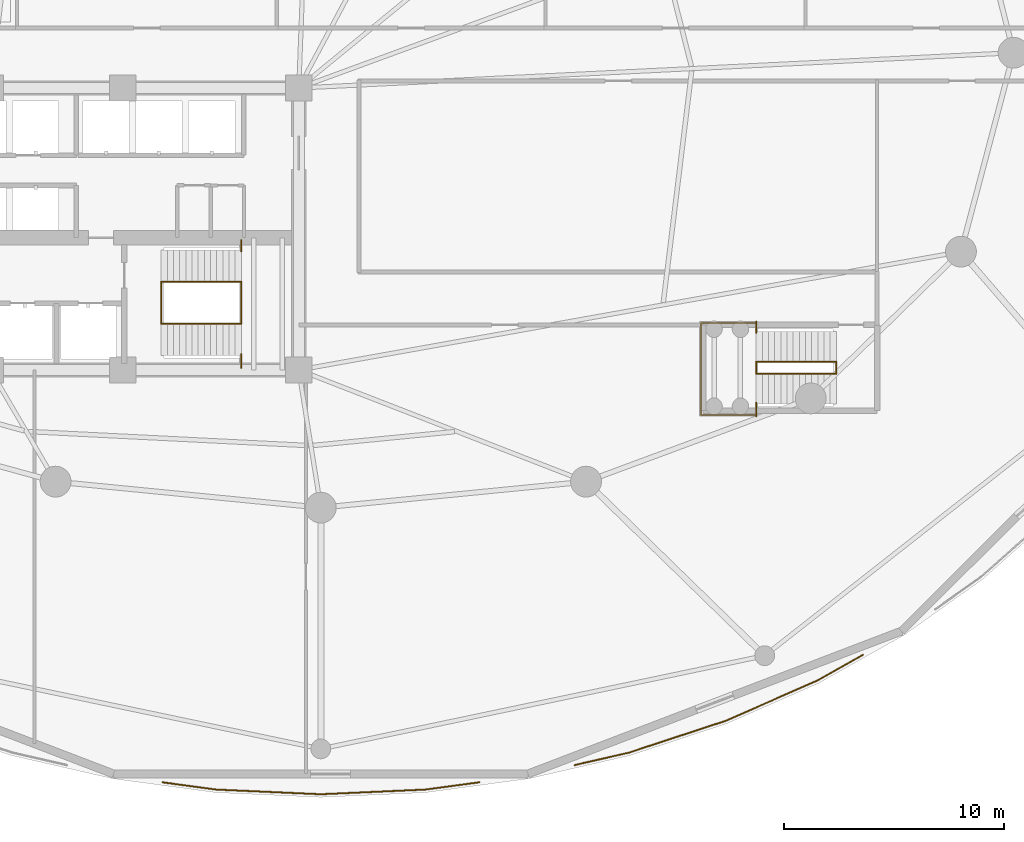
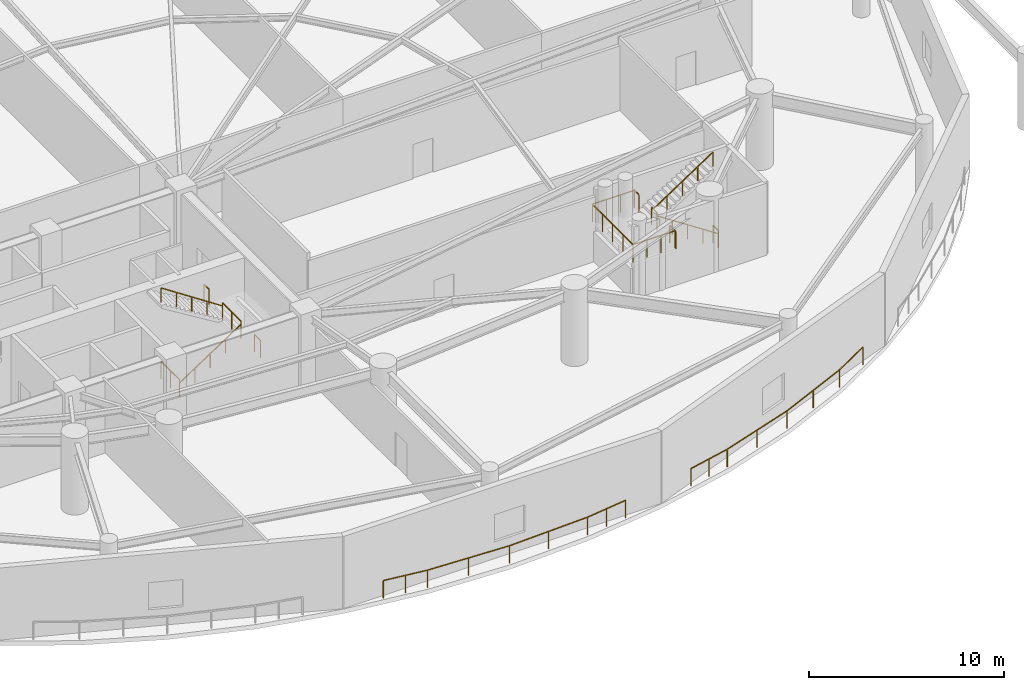
# One storey, part 36 of 40: 15 railings.
"""IFC4 building model written with IfcOpenShell, lengths in metres."""

from ifc_helpers import new_model, si_unit, direction, frame, origin, origin_2d, place, context, subcontext, project, spatial, rectangle, extrude, material, type_object, element, save


model = new_model("IFC4")

# Units and contexts
model_context = context("Model", 3, precision=1e-05, world=origin(), true_north=direction((0.0, 1.0)))
body_context = subcontext(model_context, "Body", "Model", "MODEL_VIEW")
ifc_project = project(units=[si_unit("LENGTHUNIT", "METRE"), si_unit("AREAUNIT", "SQUARE_METRE"), si_unit("VOLUMEUNIT", "CUBIC_METRE"), si_unit("PLANEANGLEUNIT", "RADIAN"), si_unit("MASSUNIT", "GRAM", prefix="KILO")], contexts=[model_context])

# Site, building, storey
site_placement = place(None, origin())
site = spatial("IfcSite", under=ifc_project, at=site_placement, CompositionType="ELEMENT")
building_placement = place(site_placement, origin())
building = spatial("IfcBuilding", under=site, at=building_placement, Name="Kazevale Care Tower and Concert Hall", CompositionType="ELEMENT")
storey_placement = place(building_placement, frame((0.0, 0.0, 4.800048828125)))
storey = spatial("IfcBuildingStorey", under=building, at=storey_placement, Name="L01", CompositionType="ELEMENT", Elevation=4.800048828125)

# Railings
ifc_material_1 = material(Name="Anodised Bronze Aluminium and Laminated Glass", Category="aluminium")
railing_type_1 = type_object("IfcRailingType", Name="Balcony and Terrace Balustrade 1120", PredefinedType="BALUSTRADE", material=ifc_material_1)
railing_1_placement = place(storey_placement, frame((52.18798828125, 4.882080078125, 0.0)))
element("IfcRailing", 1, at=railing_1_placement, inside=storey, type_object=railing_type_1, Name="rail:L01:perim:8", PredefinedType="BALUSTRADE", context=body_context, shape_type="SweptSolid", body=[
    extrude(rectangle(XDim=0.048095703125, YDim=0.048095703125, at=origin_2d()), frame((0.0, 0.0, 1.09619140625), z_axis=(-0.990987454457, -0.1339547129, 0.0), x_axis=(0.1339547129, -0.990987454457, 0.0)), (0.0, 0.0, 1.0), 2.464111328125),
    extrude(rectangle(XDim=0.048095703125, YDim=0.048095703125, at=origin_2d()), frame((-2.44189453125, -0.330078125, 1.09619140625), z_axis=(-0.999004667567, -0.044605763963, 0.0), x_axis=(0.044605763963, -0.999004667567, 0.0)), (0.0, 0.0, 1.0), 4.750732421875),
    extrude(rectangle(XDim=0.048095703125, YDim=0.048095703125, at=origin_2d()), frame((-7.18798828125, -0.5419921875, 1.09619140625), z_axis=(-0.999004667567, 0.044605763963, 0.0), x_axis=(-0.044605763963, -0.999004667567, 0.0)), (0.0, 0.0, 1.0), 4.750732421875),
    extrude(rectangle(XDim=0.048095703125, YDim=0.048095703125, at=origin_2d()), frame((-11.93408203125, -0.330078125, 1.09619140625), z_axis=(-0.990987454457, 0.1339547129, 0.0), x_axis=(-0.1339547129, -0.990987454457, 0.0)), (0.0, 0.0, 1.0), 2.464111328125),
    extrude(rectangle(XDim=0.0419921875, YDim=0.0419921875, at=origin_2d()), origin(), (0.0, 0.0, 1.0), 1.072021484375),
    extrude(rectangle(XDim=0.0419921875, YDim=0.0419921875, at=origin_2d()), frame((-1.220947265625, -0.1650390625, 0.0)), (0.0, 0.0, 1.0), 1.072021484375),
    extrude(rectangle(XDim=0.0419921875, YDim=0.0419921875, at=origin_2d()), frame((-2.44189453125, -0.330078125, 0.0)), (0.0, 0.0, 1.0), 1.072021484375),
    extrude(rectangle(XDim=0.0419921875, YDim=0.0419921875, at=origin_2d()), frame((-4.81494140625, -0.43603515625, 0.0)), (0.0, 0.0, 1.0), 1.072021484375),
    extrude(rectangle(XDim=0.0419921875, YDim=0.0419921875, at=origin_2d()), frame((-7.18798828125, -0.5419921875, 0.0)), (0.0, 0.0, 1.0), 1.072021484375),
    extrude(rectangle(XDim=0.0419921875, YDim=0.0419921875, at=origin_2d()), frame((-9.56103515625, -0.43603515625, 0.0)), (0.0, 0.0, 1.0), 1.072021484375),
    extrude(rectangle(XDim=0.0419921875, YDim=0.0419921875, at=origin_2d()), frame((-11.93408203125, -0.330078125, 0.0)), (0.0, 0.0, 1.0), 1.072021484375),
    extrude(rectangle(XDim=0.0419921875, YDim=0.0419921875, at=origin_2d()), frame((-13.155029296875, -0.1650390625, 0.0)), (0.0, 0.0, 1.0), 1.072021484375),
    extrude(rectangle(XDim=0.0419921875, YDim=0.0419921875, at=origin_2d()), frame((-14.3759765625, 0.0, 0.0)), (0.0, 0.0, 1.0), 1.072021484375),
])
railing_2_placement = place(storey_placement, frame((69.611083984375, 10.669921875, 0.0)))
element("IfcRailing", 2, at=railing_2_placement, inside=storey, type_object=railing_type_1, Name="rail:L01:perim:9", PredefinedType="BALUSTRADE", context=body_context, shape_type="SweptSolid", body=[
    extrude(rectangle(XDim=0.048095703125, YDim=0.048095703125, at=origin_2d()), frame((0.0, 0.0, 1.09619140625), z_axis=(-0.870864175029, -0.491523741696, 0.0), x_axis=(0.491523741696, -0.870864175029, 0.0)), (0.0, 0.0, 1.0), 2.36767578125),
    extrude(rectangle(XDim=0.048095703125, YDim=0.048095703125, at=origin_2d()), frame((-2.06201171875, -1.163818359375, 1.09619140625), z_axis=(-0.915470269762, -0.402385617514, 0.0), x_axis=(0.402385617514, -0.915470269762, 0.0)), (0.0, 0.0, 1.0), 4.543212890625),
    extrude(rectangle(XDim=0.048095703125, YDim=0.048095703125, at=origin_2d()), frame((-6.22119140625, -2.991943359375, 1.09619140625), z_axis=(-0.949817857606, -0.312803512405, 0.0), x_axis=(0.312803512405, -0.949817857606, 0.0)), (0.0, 0.0, 1.0), 4.622802734375),
    extrude(rectangle(XDim=0.048095703125, YDim=0.048095703125, at=origin_2d()), frame((-10.612060546875, -4.43798828125, 1.09619140625), z_axis=(-0.974740171393, -0.223341886518, 0.0), x_axis=(0.223341886518, -0.974740171393, 0.0)), (0.0, 0.0, 1.0), 2.538330078125),
    extrude(rectangle(XDim=0.0419921875, YDim=0.0419921875, at=origin_2d()), origin(), (0.0, 0.0, 1.0), 1.072021484375),
    extrude(rectangle(XDim=0.0419921875, YDim=0.0419921875, at=origin_2d()), frame((-2.06201171875, -1.163818359375, 0.0)), (0.0, 0.0, 1.0), 1.072021484375),
    extrude(rectangle(XDim=0.0419921875, YDim=0.0419921875, at=origin_2d()), frame((-4.1416015625, -2.077880859375, 0.0)), (0.0, 0.0, 1.0), 1.072021484375),
    extrude(rectangle(XDim=0.0419921875, YDim=0.0419921875, at=origin_2d()), frame((-6.22119140625, -2.991943359375, 0.0)), (0.0, 0.0, 1.0), 1.072021484375),
    extrude(rectangle(XDim=0.0419921875, YDim=0.0419921875, at=origin_2d()), frame((-8.41650390625, -3.71484375, 0.0)), (0.0, 0.0, 1.0), 1.072021484375),
    extrude(rectangle(XDim=0.0419921875, YDim=0.0419921875, at=origin_2d()), frame((-10.612060546875, -4.43798828125, 0.0)), (0.0, 0.0, 1.0), 1.072021484375),
    extrude(rectangle(XDim=0.0419921875, YDim=0.0419921875, at=origin_2d()), frame((-11.84912109375, -4.721435546875, 0.0)), (0.0, 0.0, 1.0), 1.072021484375),
    extrude(rectangle(XDim=0.0419921875, YDim=0.0419921875, at=origin_2d()), frame((-13.086181640625, -5.0048828125, 0.0)), (0.0, 0.0, 1.0), 1.072021484375),
])
ifc_material_2 = material(Name="Stainless Steel 316", Category="steel")
railing_type_2 = type_object("IfcRailingType", Name="Stair Pitch Handrail 920", PredefinedType="HANDRAIL", material=ifc_material_2)
railing_3_placement = place(storey_placement, frame((37.75, 25.699951171875, 0.0)))
element("IfcRailing", 3, at=railing_3_placement, inside=storey, type_object=railing_type_2, Name="stair:L01:ST2:hr1", PredefinedType="HANDRAIL", context=body_context, shape_type="SweptSolid", body=[
    extrude(rectangle(XDim=0.048095703125, YDim=0.048095703125, at=origin_2d()), frame((0.0, 0.0, 0.89599609375), z_axis=(0.834865213223, 0.0, 0.550454426587), x_axis=(0.0, 1.0, 0.0)), (0.0, 0.0, 1.0), 4.35986328125),
    extrude(rectangle(XDim=0.0419921875, YDim=0.0419921875, at=origin_2d()), origin(), (0.0, 0.0, 1.0), 0.871826171875),
    extrude(rectangle(XDim=0.0419921875, YDim=0.0419921875, at=origin_2d()), frame((0.909912109375, 0.0, 0.60009765625)), (0.0, 0.0, 1.0), 0.871826171875),
    extrude(rectangle(XDim=0.0419921875, YDim=0.0419921875, at=origin_2d()), frame((1.81982421875, 0.0, 1.199951171875)), (0.0, 0.0, 1.0), 0.871826171875),
    extrude(rectangle(XDim=0.0419921875, YDim=0.0419921875, at=origin_2d()), frame((2.72998046875, 0.0, 1.7998046875)), (0.0, 0.0, 1.0), 0.871826171875),
    extrude(rectangle(XDim=0.0419921875, YDim=0.0419921875, at=origin_2d()), frame((3.639892578125, 0.0, 2.39990234375)), (0.0, 0.0, 1.0), 0.871826171875),
])
railing_4_placement = place(storey_placement, frame((41.389892578125, 27.60009765625, 2.39990234375)))
element("IfcRailing", 4, at=railing_4_placement, inside=storey, type_object=railing_type_2, Name="stair:L01:ST2:hr2", PredefinedType="HANDRAIL", context=body_context, shape_type="SweptSolid", body=[
    extrude(rectangle(XDim=0.048095703125, YDim=0.048095703125, at=origin_2d()), frame((0.0, 0.0, 0.89599609375), z_axis=(-0.834839479206, 0.0, 0.550493454965), x_axis=(0.0, -1.0, 0.0)), (0.0, 0.0, 1.0), 4.360107421875),
    extrude(rectangle(XDim=0.0419921875, YDim=0.0419921875, at=origin_2d()), origin(), (0.0, 0.0, 1.0), 0.871826171875),
    extrude(rectangle(XDim=0.0419921875, YDim=0.0419921875, at=origin_2d()), frame((-0.909912109375, 0.0, 0.60009765625)), (0.0, 0.0, 1.0), 0.871826171875),
    extrude(rectangle(XDim=0.0419921875, YDim=0.0419921875, at=origin_2d()), frame((-1.81982421875, 0.0, 1.2001953125)), (0.0, 0.0, 1.0), 0.871826171875),
    extrude(rectangle(XDim=0.0419921875, YDim=0.0419921875, at=origin_2d()), frame((-2.72998046875, 0.0, 1.800048828125)), (0.0, 0.0, 1.0), 0.871826171875),
    extrude(rectangle(XDim=0.0419921875, YDim=0.0419921875, at=origin_2d()), frame((-3.639892578125, 0.0, 2.400146484375)), (0.0, 0.0, 1.0), 0.871826171875),
])
railing_5_placement = place(storey_placement, frame((68.39990234375, 23.429931640625, 0.0)))
element("IfcRailing", 5, at=railing_5_placement, inside=storey, type_object=railing_type_2, Name="stair:L01:ST3:hr1", PredefinedType="HANDRAIL", context=body_context, shape_type="SweptSolid", body=[
    extrude(rectangle(XDim=0.048095703125, YDim=0.048095703125, at=origin_2d()), frame((0.0, 0.0, 0.89599609375), z_axis=(-0.834865213223, 0.0, 0.550454426587), x_axis=(0.0, -1.0, 0.0)), (0.0, 0.0, 1.0), 4.35986328125),
    extrude(rectangle(XDim=0.0419921875, YDim=0.0419921875, at=origin_2d()), origin(), (0.0, 0.0, 1.0), 0.871826171875),
    extrude(rectangle(XDim=0.0419921875, YDim=0.0419921875, at=origin_2d()), frame((-0.909912109375, 0.0, 0.60009765625)), (0.0, 0.0, 1.0), 0.871826171875),
    extrude(rectangle(XDim=0.0419921875, YDim=0.0419921875, at=origin_2d()), frame((-1.81982421875, 0.0, 1.199951171875)), (0.0, 0.0, 1.0), 0.871826171875),
    extrude(rectangle(XDim=0.0419921875, YDim=0.0419921875, at=origin_2d()), frame((-2.72998046875, 0.0, 1.7998046875)), (0.0, 0.0, 1.0), 0.871826171875),
    extrude(rectangle(XDim=0.0419921875, YDim=0.0419921875, at=origin_2d()), frame((-3.639892578125, 0.0, 2.39990234375)), (0.0, 0.0, 1.0), 0.871826171875),
])
railing_6_placement = place(storey_placement, frame((64.760009765625, 23.969970703125, 2.39990234375)))
element("IfcRailing", 6, at=railing_6_placement, inside=storey, type_object=railing_type_2, Name="stair:L01:ST3:hr2", PredefinedType="HANDRAIL", context=body_context, shape_type="SweptSolid", body=[
    extrude(rectangle(XDim=0.048095703125, YDim=0.048095703125, at=origin_2d()), frame((0.0, 0.0, 0.89599609375), z_axis=(0.834839479206, 0.0, 0.550493454965), x_axis=(0.0, 1.0, 0.0)), (0.0, 0.0, 1.0), 4.360107421875),
    extrude(rectangle(XDim=0.0419921875, YDim=0.0419921875, at=origin_2d()), origin(), (0.0, 0.0, 1.0), 0.871826171875),
    extrude(rectangle(XDim=0.0419921875, YDim=0.0419921875, at=origin_2d()), frame((0.909912109375, 0.0, 0.60009765625)), (0.0, 0.0, 1.0), 0.871826171875),
    extrude(rectangle(XDim=0.0419921875, YDim=0.0419921875, at=origin_2d()), frame((1.81982421875, 0.0, 1.2001953125)), (0.0, 0.0, 1.0), 0.871826171875),
    extrude(rectangle(XDim=0.0419921875, YDim=0.0419921875, at=origin_2d()), frame((2.72998046875, 0.0, 1.800048828125)), (0.0, 0.0, 1.0), 0.871826171875),
    extrude(rectangle(XDim=0.0419921875, YDim=0.0419921875, at=origin_2d()), frame((3.639892578125, 0.0, 2.400146484375)), (0.0, 0.0, 1.0), 0.871826171875),
])
railing_type_3 = type_object("IfcRailingType", Name="Stair Well Guard Balustrade 1120", PredefinedType="BALUSTRADE", material=ifc_material_2)
railing_7_placement = place(storey_placement, frame((41.389892578125, 23.699951171875, 2.39990234375)))
element("IfcRailing", 7, at=railing_7_placement, inside=storey, type_object=railing_type_3, Name="stair:L01:ST2:grd_side1", PredefinedType="BALUSTRADE", context=body_context, shape_type="SweptSolid", body=[
    extrude(rectangle(XDim=0.048095703125, YDim=0.048095703125, at=origin_2d()), frame((0.0, 0.0, 1.09619140625), z_axis=(0.0, 1.0, 0.0), x_axis=(-1.0, 0.0, 0.0)), (0.0, 0.0, 1.0), 0.610107421875),
    extrude(rectangle(XDim=0.0419921875, YDim=0.0419921875, at=origin_2d()), origin(), (0.0, 0.0, 1.0), 1.072021484375),
    extrude(rectangle(XDim=0.0419921875, YDim=0.0419921875, at=origin_2d()), frame((0.0, 0.610107421875, 0.0)), (0.0, 0.0, 1.0), 1.072021484375),
])
railing_8_placement = place(storey_placement, frame((41.389892578125, 28.989990234375, 2.39990234375)))
element("IfcRailing", 8, at=railing_8_placement, inside=storey, type_object=railing_type_3, Name="stair:L01:ST2:grd_side2", PredefinedType="BALUSTRADE", context=body_context, shape_type="SweptSolid", body=[
    extrude(rectangle(XDim=0.048095703125, YDim=0.048095703125, at=origin_2d()), frame((0.0, 0.0, 1.09619140625), z_axis=(0.0, 1.0, 0.0), x_axis=(-1.0, 0.0, 0.0)), (0.0, 0.0, 1.0), 0.510009765625),
    extrude(rectangle(XDim=0.0419921875, YDim=0.0419921875, at=origin_2d()), origin(), (0.0, 0.0, 1.0), 1.072021484375),
    extrude(rectangle(XDim=0.0419921875, YDim=0.0419921875, at=origin_2d()), frame((0.0, 0.510009765625, 0.0)), (0.0, 0.0, 1.0), 1.072021484375),
])
for number, where, name in (
    (9, (41.389892578125, 25.699951171875, 2.39990234375), "stair:L01:ST2:grd_mid"),
    (10, (37.75, 25.699951171875, 0.0), "stair:L01:ST2:grd_flr"),
):
    element("IfcRailing", number, at=place(storey_placement, frame(where)), inside=storey, type_object=railing_type_3, Name=name, PredefinedType="BALUSTRADE", context=body_context, shape_type="SweptSolid", body=[
        extrude(rectangle(XDim=0.048095703125, YDim=0.048095703125, at=origin_2d()), frame((0.0, 0.0, 1.09619140625), z_axis=(0.0, 1.0, 0.0), x_axis=(-1.0, 0.0, 0.0)), (0.0, 0.0, 1.0), 1.900146484375),
        extrude(rectangle(XDim=0.0419921875, YDim=0.0419921875, at=origin_2d()), origin(), (0.0, 0.0, 1.0), 1.072021484375),
        extrude(rectangle(XDim=0.0419921875, YDim=0.0419921875, at=origin_2d()), frame((0.0, 0.9501953125, 0.0)), (0.0, 0.0, 1.0), 1.072021484375),
        extrude(rectangle(XDim=0.0419921875, YDim=0.0419921875, at=origin_2d()), frame((0.0, 1.900146484375, 0.0)), (0.0, 0.0, 1.0), 1.072021484375),
    ])
railing_9_placement = place(storey_placement, frame((64.760009765625, 21.5, 2.39990234375)))
element("IfcRailing", 11, at=railing_9_placement, inside=storey, type_object=railing_type_3, Name="stair:L01:ST3:grd_side1", PredefinedType="BALUSTRADE", context=body_context, shape_type="SweptSolid", body=[
    extrude(rectangle(XDim=0.048095703125, YDim=0.048095703125, at=origin_2d()), frame((0.0, 0.0, 1.09619140625), z_axis=(0.0, 1.0, 0.0), x_axis=(-1.0, 0.0, 0.0)), (0.0, 0.0, 1.0), 0.610107421875),
    extrude(rectangle(XDim=0.0419921875, YDim=0.0419921875, at=origin_2d()), origin(), (0.0, 0.0, 1.0), 1.072021484375),
    extrude(rectangle(XDim=0.0419921875, YDim=0.0419921875, at=origin_2d()), frame((0.0, 0.610107421875, 0.0)), (0.0, 0.0, 1.0), 1.072021484375),
])
railing_10_placement = place(storey_placement, frame((64.760009765625, 25.2900390625, 2.39990234375)))
element("IfcRailing", 12, at=railing_10_placement, inside=storey, type_object=railing_type_3, Name="stair:L01:ST3:grd_side2", PredefinedType="BALUSTRADE", context=body_context, shape_type="SweptSolid", body=[
    extrude(rectangle(XDim=0.048095703125, YDim=0.048095703125, at=origin_2d()), frame((0.0, 0.0, 1.09619140625), z_axis=(0.0, 1.0, 0.0), x_axis=(-1.0, 0.0, 0.0)), (0.0, 0.0, 1.0), 0.510009765625),
    extrude(rectangle(XDim=0.0419921875, YDim=0.0419921875, at=origin_2d()), origin(), (0.0, 0.0, 1.0), 1.072021484375),
    extrude(rectangle(XDim=0.0419921875, YDim=0.0419921875, at=origin_2d()), frame((0.0, 0.510009765625, 0.0)), (0.0, 0.0, 1.0), 1.072021484375),
])
railing_11_placement = place(storey_placement, frame((64.760009765625, 21.56005859375, 2.39990234375)))
element("IfcRailing", 13, at=railing_11_placement, inside=storey, type_object=railing_type_3, Name="stair:L01:ST3:grd_far", PredefinedType="BALUSTRADE", context=body_context, shape_type="SweptSolid", body=[
    extrude(rectangle(XDim=0.048095703125, YDim=0.048095703125, at=origin_2d()), frame((0.0, 0.0, 1.09619140625), z_axis=(-1.0, 0.0, 0.0), x_axis=(0.0, -1.0, 0.0)), (0.0, 0.0, 1.0), 2.5),
    extrude(rectangle(XDim=0.048095703125, YDim=0.048095703125, at=origin_2d()), frame((-2.5, 0.0, 1.09619140625), z_axis=(0.0, 1.0, 0.0), x_axis=(-1.0, 0.0, 0.0)), (0.0, 0.0, 1.0), 4.179931640625),
    extrude(rectangle(XDim=0.048095703125, YDim=0.048095703125, at=origin_2d()), frame((-2.5, 4.179931640625, 1.09619140625), z_axis=(1.0, 0.0, 0.0), x_axis=(0.0, 1.0, 0.0)), (0.0, 0.0, 1.0), 2.5),
    extrude(rectangle(XDim=0.0419921875, YDim=0.0419921875, at=origin_2d()), origin(), (0.0, 0.0, 1.0), 1.072021484375),
    extrude(rectangle(XDim=0.0419921875, YDim=0.0419921875, at=origin_2d()), frame((-0.833251953125, 0.0, 0.0)), (0.0, 0.0, 1.0), 1.072021484375),
    extrude(rectangle(XDim=0.0419921875, YDim=0.0419921875, at=origin_2d()), frame((-1.666748046875, 0.0, 0.0)), (0.0, 0.0, 1.0), 1.072021484375),
    extrude(rectangle(XDim=0.0419921875, YDim=0.0419921875, at=origin_2d()), frame((-2.5, 0.0, 0.0)), (0.0, 0.0, 1.0), 1.072021484375),
    extrude(rectangle(XDim=0.0419921875, YDim=0.0419921875, at=origin_2d()), frame((-2.5, 1.044921875, 0.0)), (0.0, 0.0, 1.0), 1.072021484375),
    extrude(rectangle(XDim=0.0419921875, YDim=0.0419921875, at=origin_2d()), frame((-2.5, 2.08984375, 0.0)), (0.0, 0.0, 1.0), 1.072021484375),
    extrude(rectangle(XDim=0.0419921875, YDim=0.0419921875, at=origin_2d()), frame((-2.5, 3.135009765625, 0.0)), (0.0, 0.0, 1.0), 1.072021484375),
    extrude(rectangle(XDim=0.0419921875, YDim=0.0419921875, at=origin_2d()), frame((-2.5, 4.179931640625, 0.0)), (0.0, 0.0, 1.0), 1.072021484375),
    extrude(rectangle(XDim=0.0419921875, YDim=0.0419921875, at=origin_2d()), frame((-1.666748046875, 4.179931640625, 0.0)), (0.0, 0.0, 1.0), 1.072021484375),
    extrude(rectangle(XDim=0.0419921875, YDim=0.0419921875, at=origin_2d()), frame((-0.833251953125, 4.179931640625, 0.0)), (0.0, 0.0, 1.0), 1.072021484375),
    extrude(rectangle(XDim=0.0419921875, YDim=0.0419921875, at=origin_2d()), frame((0.0, 4.179931640625, 0.0)), (0.0, 0.0, 1.0), 1.072021484375),
])
for number, where, name in (
    (14, (64.760009765625, 23.429931640625, 2.39990234375), "stair:L01:ST3:grd_mid"),
    (15, (68.39990234375, 23.429931640625, 0.0), "stair:L01:ST3:grd_flr"),
):
    element("IfcRailing", number, at=place(storey_placement, frame(where)), inside=storey, type_object=railing_type_3, Name=name, PredefinedType="BALUSTRADE", context=body_context, shape_type="SweptSolid", body=[
        extrude(rectangle(XDim=0.048095703125, YDim=0.048095703125, at=origin_2d()), frame((0.0, 0.0, 1.09619140625), z_axis=(0.0, 1.0, 0.0), x_axis=(-1.0, 0.0, 0.0)), (0.0, 0.0, 1.0), 0.5400390625),
        extrude(rectangle(XDim=0.0419921875, YDim=0.0419921875, at=origin_2d()), origin(), (0.0, 0.0, 1.0), 1.072021484375),
        extrude(rectangle(XDim=0.0419921875, YDim=0.0419921875, at=origin_2d()), frame((0.0, 0.5400390625, 0.0)), (0.0, 0.0, 1.0), 1.072021484375),
    ])

save(model, "model.ifc")
